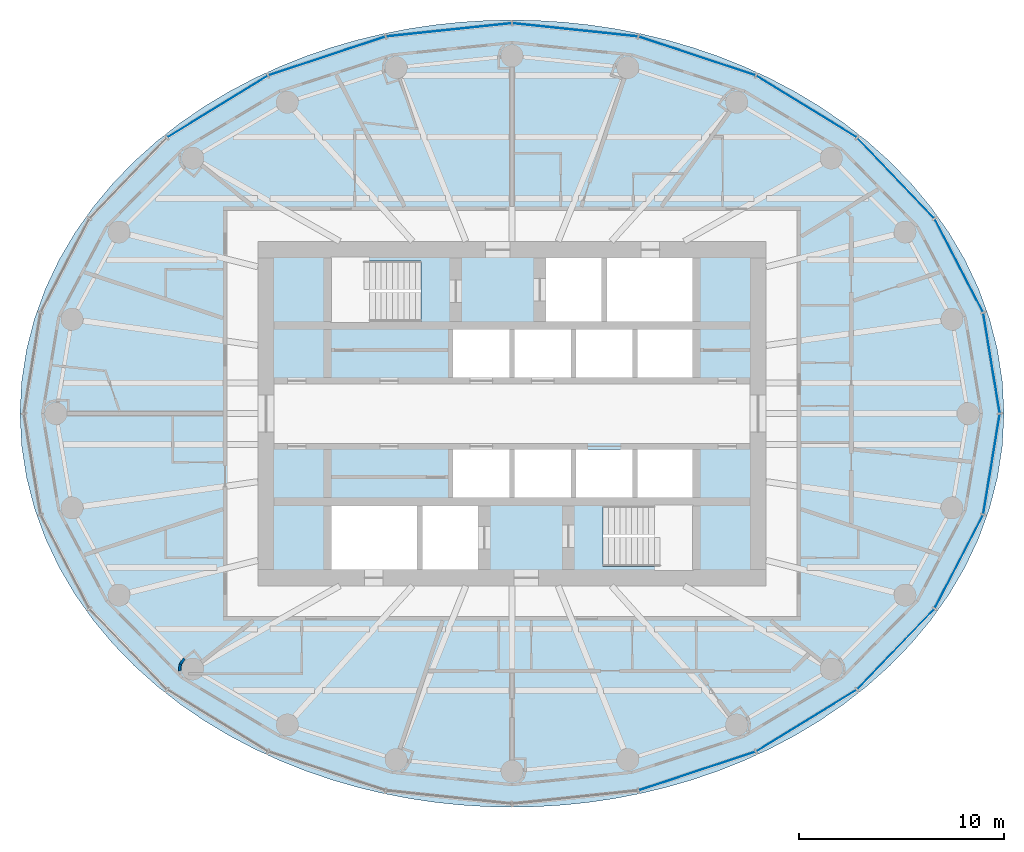
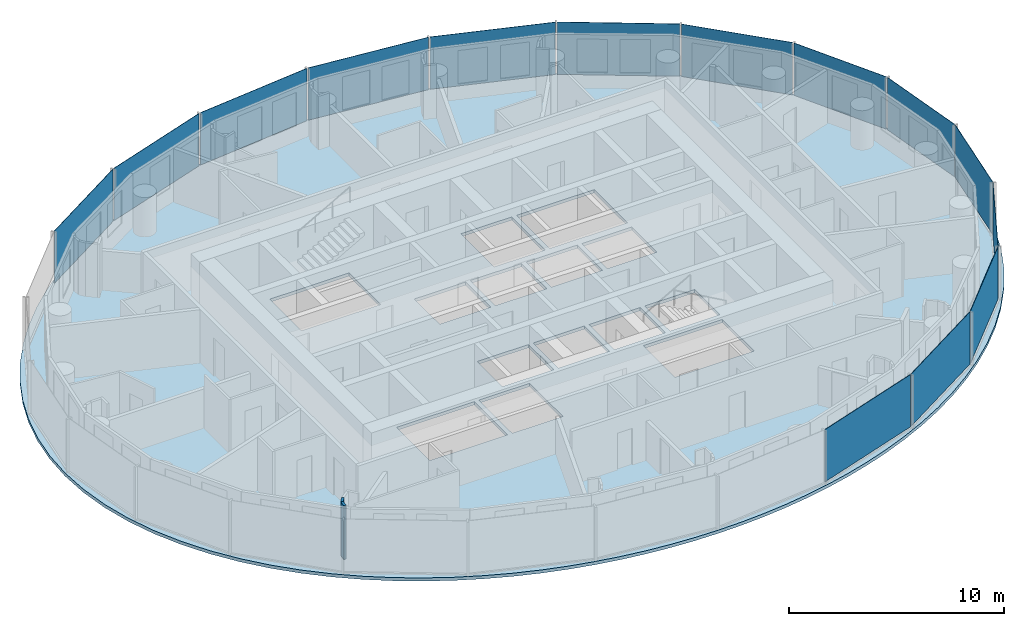
# One storey, part 5 of 14: 14 plates, 2 walls, 1 slab, 3 elements without a shape of their own.
"""IFC4 building model written with IfcOpenShell, lengths in metres."""

from ifc_helpers import new_model, si_unit, direction, frame, frame_2d, origin, origin_2d, place, context, subcontext, project, spatial, polyline, rectangle, outline, extrude, material, layer, layer_set, type_object, element, aggregate, save


model = new_model("IFC4")

# Units and contexts
model_context = context("Model", 3, precision=1e-05, world=origin(), true_north=direction((0.0, 1.0)))
body_context = subcontext(model_context, "Body", "Model", "MODEL_VIEW")
ifc_project = project(units=[si_unit("LENGTHUNIT", "METRE"), si_unit("AREAUNIT", "SQUARE_METRE"), si_unit("VOLUMEUNIT", "CUBIC_METRE"), si_unit("PLANEANGLEUNIT", "RADIAN"), si_unit("MASSUNIT", "GRAM", prefix="KILO")], contexts=[model_context])

# Site, building, storey
site_placement = place(None, origin())
site = spatial("IfcSite", under=ifc_project, at=site_placement, CompositionType="ELEMENT")
building_placement = place(site_placement, origin())
building = spatial("IfcBuilding", under=site, at=building_placement, Name="Hankou Lantern Tower", CompositionType="ELEMENT")
storey_placement = place(building_placement, frame((0.0, 0.0, 183.0)))
storey = spatial("IfcBuildingStorey", under=building, at=storey_placement, Name="L49", CompositionType="ELEMENT", Elevation=183.0)

# Curtain wall, plates
ifc_material_1 = material(Name="Glass, dark grey tinted laminated", Category="glass")
curtain_wall_type = type_object("IfcCurtainWallType", Name="CWC OUTER SKIN HIGH-RISE", PredefinedType="USERDEFINED", material=ifc_material_1)
curtain_wall_1_placement = place(storey_placement, origin())
curtain_wall_1 = element("IfcCurtainWall", 1, at=curtain_wall_1_placement, inside=storey, type_object=curtain_wall_type, Name="CWC L49 OS1", ObjectType="OUTER SKIN HIGH-RISE", PredefinedType="USERDEFINED")
ifc_material_2 = material(Name="Glass, dark grey tinted laminated", Category="glass")
ifc_layer_1 = layer(ifc_material_2, 0.02392578125)
ifc_layer_set_1 = layer_set([ifc_layer_1], Name="Glass, dark grey tinted laminated")
plate_type = type_object("IfcPlateType", Name="PN1 OUTER SKIN GLASS PANEL", PredefinedType="CURTAIN_PANEL", material=ifc_layer_set_1)
plate_1_placement = place(storey_placement, frame((23.39453125, 2.4638671875, 0.080078125), z_axis=(0.0, 0.0, 1.0), x_axis=(-0.162381515188, 0.986728049427, 0.0)))
plate_1 = element("IfcPlate", 2, at=plate_1_placement, type_object=plate_type, Name="CWC glass panel 1", PredefinedType="CURTAIN_PANEL", context=body_context, shape_type="SweptSolid", body=[
    extrude(rectangle(XDim=4.914306640625, YDim=0.02392578125, at=origin_2d()), origin(), (0.0, 0.0, 1.0), 2.969970703125),
])
plate_2_placement = place(storey_placement, frame((21.80029296875, 7.223876953125, 0.080078125), z_axis=(0.0, 0.0, 1.0), x_axis=(-0.459791091957, 0.888027112062, 0.0)))
plate_2 = element("IfcPlate", 3, at=plate_2_placement, type_object=plate_type, Name="CWC glass panel 2", PredefinedType="CURTAIN_PANEL", context=body_context, shape_type="SweptSolid", body=[
    extrude(rectangle(XDim=5.091064453125, YDim=0.02392578125, at=origin_2d()), origin(), (0.0, 0.0, 1.0), 2.969970703125),
])
plate_3_placement = place(storey_placement, frame((18.72021484375, 11.49169921875, 0.080078125), z_axis=(0.0, 0.0, 1.0), x_axis=(-0.692215809936, 0.721690565599, 0.0)))
plate_3 = element("IfcPlate", 4, at=plate_3_placement, type_object=plate_type, Name="CWC glass panel 3", PredefinedType="CURTAIN_PANEL", context=body_context, shape_type="SweptSolid", body=[
    extrude(rectangle(XDim=5.384033203125, YDim=0.02392578125, at=origin_2d()), origin(), (0.0, 0.0, 1.0), 2.969970703125),
])
plate_4_placement = place(storey_placement, frame((14.364501953125, 14.976318359375, 0.080078125), z_axis=(0.0, 0.0, 1.0), x_axis=(-0.852237151549, 0.523155653242, 0.0)))
plate_4 = element("IfcPlate", 5, at=plate_4_placement, type_object=plate_type, Name="CWC glass panel 4", PredefinedType="CURTAIN_PANEL", context=body_context, shape_type="SweptSolid", body=[
    extrude(rectangle(XDim=5.703857421875, YDim=0.02392578125, at=origin_2d()), origin(), (0.0, 0.0, 1.0), 2.969970703125),
])
plate_5_placement = place(storey_placement, frame((9.030029296875, 17.440185546875, 0.080078125), z_axis=(0.0, 0.0, 1.0), x_axis=(-0.949240677293, 0.31455068999, 0.0)))
plate_5 = element("IfcPlate", 6, at=plate_5_placement, type_object=plate_type, Name="CWC glass panel 5", PredefinedType="CURTAIN_PANEL", context=body_context, shape_type="SweptSolid", body=[
    extrude(rectangle(XDim=5.967041015625, YDim=0.02392578125, at=origin_2d()), origin(), (0.0, 0.0, 1.0), 2.969970703125),
])
plate_6_placement = place(storey_placement, frame((3.079833984375, 18.715576171875, 0.080078125), z_axis=(0.0, 0.0, 1.0), x_axis=(-0.994499359107, 0.104742659579, 0.0)))
plate_6 = element("IfcPlate", 7, at=plate_6_placement, type_object=plate_type, Name="CWC glass panel 6", PredefinedType="CURTAIN_PANEL", context=body_context, shape_type="SweptSolid", body=[
    extrude(rectangle(XDim=6.114013671875, YDim=0.02392578125, at=origin_2d()), origin(), (0.0, 0.0, 1.0), 2.969970703125),
])
aggregate(curtain_wall_1, [plate_1, plate_2, plate_3, plate_4, plate_5, plate_6])

curtain_wall_2_placement = place(storey_placement, origin())
curtain_wall_2 = element("IfcCurtainWall", 8, at=curtain_wall_2_placement, inside=storey, type_object=curtain_wall_type, Name="CWC L49 OS2", ObjectType="OUTER SKIN HIGH-RISE", PredefinedType="USERDEFINED")
plate_7_placement = place(storey_placement, frame((-3.079833984375, 18.715576171875, 0.080078125), z_axis=(0.0, 0.0, 1.0), x_axis=(-0.994499359107, -0.104742659579, 0.0)))
plate_7 = element("IfcPlate", 9, at=plate_7_placement, type_object=plate_type, Name="CWC glass panel 1", PredefinedType="CURTAIN_PANEL", context=body_context, shape_type="SweptSolid", body=[
    extrude(rectangle(XDim=6.114013671875, YDim=0.02392578125, at=origin_2d()), origin(), (0.0, 0.0, 1.0), 2.969970703125),
])
plate_8_placement = place(storey_placement, frame((-9.030029296875, 17.440185546875, 0.080078125), z_axis=(0.0, 0.0, 1.0), x_axis=(-0.949240677293, -0.31455068999, 0.0)))
plate_8 = element("IfcPlate", 10, at=plate_8_placement, type_object=plate_type, Name="CWC glass panel 2", PredefinedType="CURTAIN_PANEL", context=body_context, shape_type="SweptSolid", body=[
    extrude(rectangle(XDim=5.967041015625, YDim=0.02392578125, at=origin_2d()), origin(), (0.0, 0.0, 1.0), 2.969970703125),
])
plate_9_placement = place(storey_placement, frame((-14.364501953125, 14.976318359375, 0.080078125), z_axis=(0.0, 0.0, 1.0), x_axis=(-0.852237151549, -0.523155653242, 0.0)))
plate_9 = element("IfcPlate", 11, at=plate_9_placement, type_object=plate_type, Name="CWC glass panel 3", PredefinedType="CURTAIN_PANEL", context=body_context, shape_type="SweptSolid", body=[
    extrude(rectangle(XDim=5.703857421875, YDim=0.02392578125, at=origin_2d()), origin(), (0.0, 0.0, 1.0), 2.969970703125),
])
aggregate(curtain_wall_2, [plate_7, plate_8, plate_9])

curtain_wall_3_placement = place(storey_placement, origin())
curtain_wall_3 = element("IfcCurtainWall", 12, at=curtain_wall_3_placement, inside=storey, type_object=curtain_wall_type, Name="CWC L49 OS4", ObjectType="OUTER SKIN HIGH-RISE", PredefinedType="USERDEFINED")
plate_10_placement = place(storey_placement, frame((9.030029296875, -17.440185546875, 0.080078125), z_axis=(0.0, 0.0, 1.0), x_axis=(0.949240677293, 0.31455068999, 0.0)))
plate_10 = element("IfcPlate", 13, at=plate_10_placement, type_object=plate_type, Name="CWC glass panel 2", PredefinedType="CURTAIN_PANEL", context=body_context, shape_type="SweptSolid", body=[
    extrude(rectangle(XDim=5.967041015625, YDim=0.02392578125, at=origin_2d()), origin(), (0.0, 0.0, 1.0), 2.969970703125),
])
plate_11_placement = place(storey_placement, frame((14.364501953125, -14.976318359375, 0.080078125), z_axis=(0.0, 0.0, 1.0), x_axis=(0.852237151549, 0.523155653242, 0.0)))
plate_11 = element("IfcPlate", 14, at=plate_11_placement, type_object=plate_type, Name="CWC glass panel 3", PredefinedType="CURTAIN_PANEL", context=body_context, shape_type="SweptSolid", body=[
    extrude(rectangle(XDim=5.703857421875, YDim=0.02392578125, at=origin_2d()), origin(), (0.0, 0.0, 1.0), 2.969970703125),
])
plate_12_placement = place(storey_placement, frame((18.72021484375, -11.49169921875, 0.080078125), z_axis=(0.0, 0.0, 1.0), x_axis=(0.692215809936, 0.721690565599, 0.0)))
plate_12 = element("IfcPlate", 15, at=plate_12_placement, type_object=plate_type, Name="CWC glass panel 4", PredefinedType="CURTAIN_PANEL", context=body_context, shape_type="SweptSolid", body=[
    extrude(rectangle(XDim=5.384033203125, YDim=0.02392578125, at=origin_2d()), origin(), (0.0, 0.0, 1.0), 2.969970703125),
])
plate_13_placement = place(storey_placement, frame((21.80029296875, -7.223876953125, 0.080078125), z_axis=(0.0, 0.0, 1.0), x_axis=(0.459791091957, 0.888027112062, 0.0)))
plate_13 = element("IfcPlate", 16, at=plate_13_placement, type_object=plate_type, Name="CWC glass panel 5", PredefinedType="CURTAIN_PANEL", context=body_context, shape_type="SweptSolid", body=[
    extrude(rectangle(XDim=5.091064453125, YDim=0.02392578125, at=origin_2d()), origin(), (0.0, 0.0, 1.0), 2.969970703125),
])
plate_14_placement = place(storey_placement, frame((23.39453125, -2.4638671875, 0.080078125), z_axis=(0.0, 0.0, 1.0), x_axis=(0.162381515188, 0.986728049427, 0.0)))
plate_14 = element("IfcPlate", 17, at=plate_14_placement, type_object=plate_type, Name="CWC glass panel 6", PredefinedType="CURTAIN_PANEL", context=body_context, shape_type="SweptSolid", body=[
    extrude(rectangle(XDim=4.914306640625, YDim=0.02392578125, at=origin_2d()), origin(), (0.0, 0.0, 1.0), 2.969970703125),
])
aggregate(curtain_wall_3, [plate_10, plate_11, plate_12, plate_13, plate_14])

# Slab
ifc_material_3 = material(Name="Concrete C50", Category="concrete")
ifc_layer_2 = layer(ifc_material_3, 0.179931640625)
ifc_layer_set_2 = layer_set([ifc_layer_2], Name="Concrete C50")
slab_type = type_object("IfcSlabType", Name="S1 CONCRETE FLOOR SLAB 180", PredefinedType="FLOOR", material=ifc_layer_set_2)
slab_placement = place(storey_placement, frame((0.0, 0.0, -0.179931640625)))
element("IfcSlab", 18, at=slab_placement, inside=storey, type_object=slab_type, Name="Floor slab L49", PredefinedType="FLOOR", context=body_context, shape_type="SweptSolid", body=[
    extrude(outline(polyline([(24.0, 0.0), (23.919921875, 1.56787109375), (23.681396484375, 3.11767578125), (23.290771484375, 4.6328125), (22.75732421875, 6.097900390625), (22.09326171875, 7.499755859375), (21.312744140625, 8.827880859375), (20.43017578125, 10.0751953125), (19.461181640625, 11.23583984375), (18.420166015625, 12.307861328125), (17.320556640625, 13.29052734375), (16.174560546875, 14.184814453125), (14.99267578125, 14.99267578125), (13.783935546875, 15.717529296875), (12.5556640625, 16.363037109375), (11.31396484375, 16.9326171875), (10.0634765625, 17.4306640625), (8.8076171875, 17.8603515625), (7.54931640625, 18.225341796875), (6.289794921875, 18.52880859375), (5.0302734375, 18.7734375), (3.771728515625, 18.96142578125), (2.513916015625, 19.094482421875), (1.256591796875, 19.173583984375), (0.0, 19.199951171875), (-1.256591796875, 19.173583984375), (-2.513916015625, 19.094482421875), (-3.771728515625, 18.96142578125), (-5.0302734375, 18.7734375), (-6.289794921875, 18.52880859375), (-7.54931640625, 18.225341796875), (-8.8076171875, 17.8603515625), (-10.0634765625, 17.4306640625), (-11.31396484375, 16.9326171875), (-12.5556640625, 16.363037109375), (-13.783935546875, 15.717529296875), (-14.99267578125, 14.99267578125), (-16.174560546875, 14.184814453125), (-17.320556640625, 13.29052734375), (-18.420166015625, 12.307861328125), (-19.461181640625, 11.23583984375), (-20.43017578125, 10.0751953125), (-21.312744140625, 8.827880859375), (-22.09326171875, 7.499755859375), (-22.75732421875, 6.097900390625), (-23.290771484375, 4.6328125), (-23.681396484375, 3.11767578125), (-23.919921875, 1.56787109375), (-24.0, 0.0), (-23.919921875, -1.56787109375), (-23.681396484375, -3.11767578125), (-23.290771484375, -4.6328125), (-22.75732421875, -6.097900390625), (-22.09326171875, -7.499755859375), (-21.312744140625, -8.827880859375), (-20.43017578125, -10.0751953125), (-19.461181640625, -11.23583984375), (-18.420166015625, -12.307861328125), (-17.320556640625, -13.29052734375), (-16.174560546875, -14.184814453125), (-14.99267578125, -14.99267578125), (-13.783935546875, -15.717529296875), (-12.5556640625, -16.363037109375), (-11.31396484375, -16.9326171875), (-10.0634765625, -17.4306640625), (-8.8076171875, -17.8603515625), (-7.54931640625, -18.225341796875), (-6.289794921875, -18.52880859375), (-5.0302734375, -18.7734375), (-3.771728515625, -18.96142578125), (-2.513916015625, -19.094482421875), (-1.256591796875, -19.173583984375), (0.0, -19.199951171875), (1.256591796875, -19.173583984375), (2.513916015625, -19.094482421875), (3.771728515625, -18.96142578125), (5.0302734375, -18.7734375), (6.289794921875, -18.52880859375), (7.54931640625, -18.225341796875), (8.8076171875, -17.8603515625), (10.0634765625, -17.4306640625), (11.31396484375, -16.9326171875), (12.5556640625, -16.363037109375), (13.783935546875, -15.717529296875), (14.99267578125, -14.99267578125), (16.174560546875, -14.184814453125), (17.320556640625, -13.29052734375), (18.420166015625, -12.307861328125), (19.461181640625, -11.23583984375), (20.43017578125, -10.0751953125), (21.312744140625, -8.827880859375), (22.09326171875, -7.499755859375), (22.75732421875, -6.097900390625), (23.290771484375, -4.6328125), (23.681396484375, -3.11767578125), (23.919921875, -1.56787109375), (24.0, 0.0)]), holes=[polyline([(-2.875, 4.10009765625), (-0.125, 4.10009765625), (-0.125, 1.75), (-2.875, 1.75), (-2.875, 4.10009765625)]), polyline([(0.125, 4.10009765625), (2.875, 4.10009765625), (2.875, 1.75), (0.125, 1.75), (0.125, 4.10009765625)]), polyline([(3.125, 4.10009765625), (5.875, 4.10009765625), (5.875, 1.75), (3.125, 1.75), (3.125, 4.10009765625)]), polyline([(6.125, 4.10009765625), (8.800048828125, 4.10009765625), (8.800048828125, 1.75), (6.125, 1.75), (6.125, 4.10009765625)]), polyline([(-2.875, -1.75), (-0.125, -1.75), (-0.125, -4.10009765625), (-2.875, -4.10009765625), (-2.875, -1.75)]), polyline([(0.125, -1.75), (2.875, -1.75), (2.875, -4.10009765625), (0.125, -4.10009765625), (0.125, -1.75)]), polyline([(3.125, -1.75), (5.875, -1.75), (5.875, -4.10009765625), (3.125, -4.10009765625), (3.125, -1.75)]), polyline([(6.125, -1.75), (8.800048828125, -1.75), (8.800048828125, -4.10009765625), (6.125, -4.10009765625), (6.125, -1.75)]), polyline([(1.64990234375, 7.60009765625), (4.375, 7.60009765625), (4.375, 4.5), (1.64990234375, 4.5), (1.64990234375, 7.60009765625)]), polyline([(-4.375, -4.5), (-1.64990234375, -4.5), (-1.64990234375, -7.60009765625), (-4.375, -7.60009765625), (-4.375, -4.5)]), polyline([(-8.699951171875, 7.449951171875), (-4.449951171875, 7.449951171875), (-4.449951171875, 4.5), (-8.699951171875, 4.5), (-8.699951171875, 7.449951171875)]), polyline([(4.449951171875, -4.5), (8.699951171875, -4.5), (8.699951171875, -7.449951171875), (4.449951171875, -7.449951171875), (4.449951171875, -4.5)]), polyline([(4.625, 7.60009765625), (8.800048828125, 7.60009765625), (8.800048828125, 4.5), (4.625, 4.5), (4.625, 7.60009765625)]), polyline([(-8.800048828125, -4.5), (-4.625, -4.5), (-4.625, -7.60009765625), (-8.800048828125, -7.60009765625), (-8.800048828125, -4.5)])]), origin(), (0.0, 0.0, 1.0), 0.179931640625),
])

# Walls
ifc_material_4 = material(Name="Masonry lightweight concrete block", Category="masonry")
ifc_layer_3 = layer(ifc_material_4, 0.1201171875)
ifc_layer_set_3 = layer_set([ifc_layer_3], Name="Masonry lightweight concrete block")
wall_type = type_object("IfcWallType", Name="IW4 PARTITION 120", PredefinedType="PARTITIONING", material=ifc_layer_set_3)
wall_1_placement = place(storey_placement, frame((-15.983642578125, -11.95166015625, 0.0), z_axis=(0.0, 0.0, 1.0), x_axis=(-0.592335221171, -0.805691619517, 0.0)))
element("IfcWall", 19, at=wall_1_placement, inside=storey, type_object=wall_type, Name="Column casing R16", PredefinedType="PARTITIONING", context=body_context, shape_type="SweptSolid", body=[
    extrude(rectangle(XDim=0.337646484375, YDim=0.1201171875, at=frame_2d((0.1689453125, 0.0))), origin(), (0.0, 0.0, 1.0), 3.050048828125),
])
wall_2_placement = place(storey_placement, frame((-16.18359375, -12.2236328125, 0.0), z_axis=(0.0, 0.0, 1.0), x_axis=(-0.110669692975, -0.993857242795, 0.0)))
element("IfcWall", 20, at=wall_2_placement, inside=storey, type_object=wall_type, Name="Column casing R16", PredefinedType="PARTITIONING", context=body_context, shape_type="SweptSolid", body=[
    extrude(rectangle(XDim=0.33740234375, YDim=0.1201171875, at=frame_2d((0.168701171875, 0.0))), origin(), (0.0, 0.0, 1.0), 3.050048828125),
])

save(model, "model.ifc")
